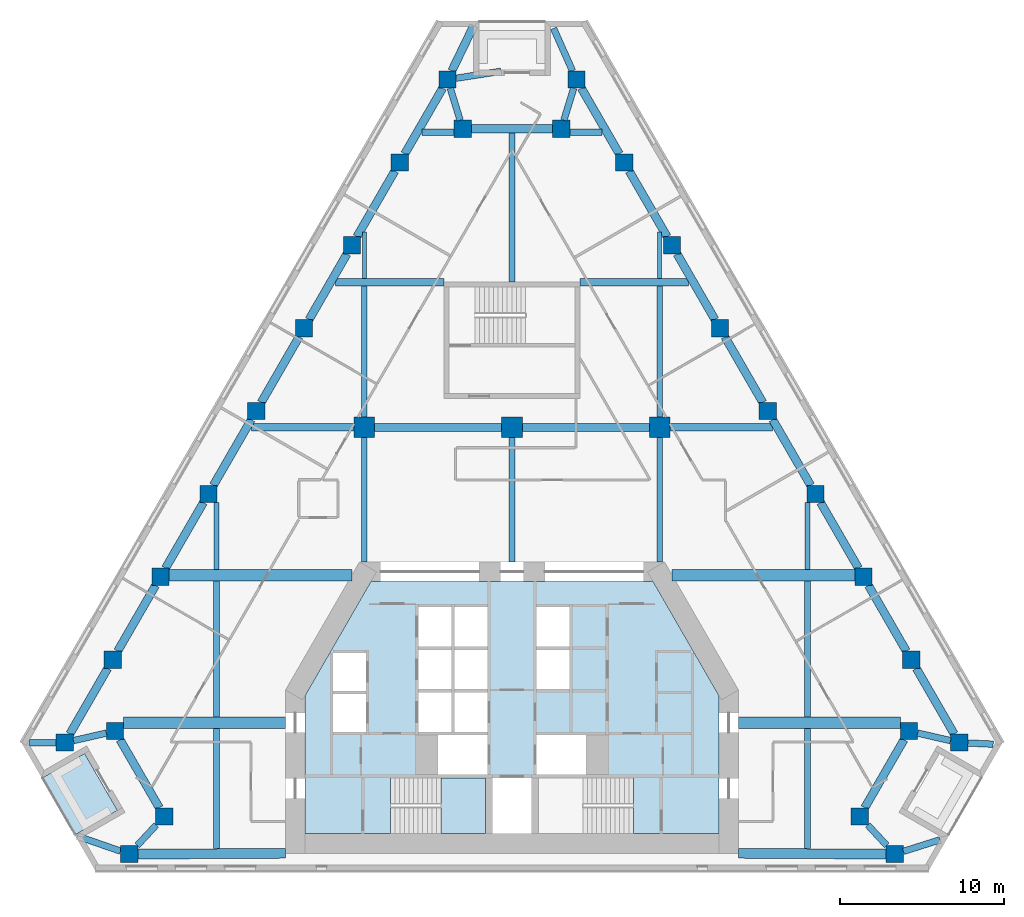
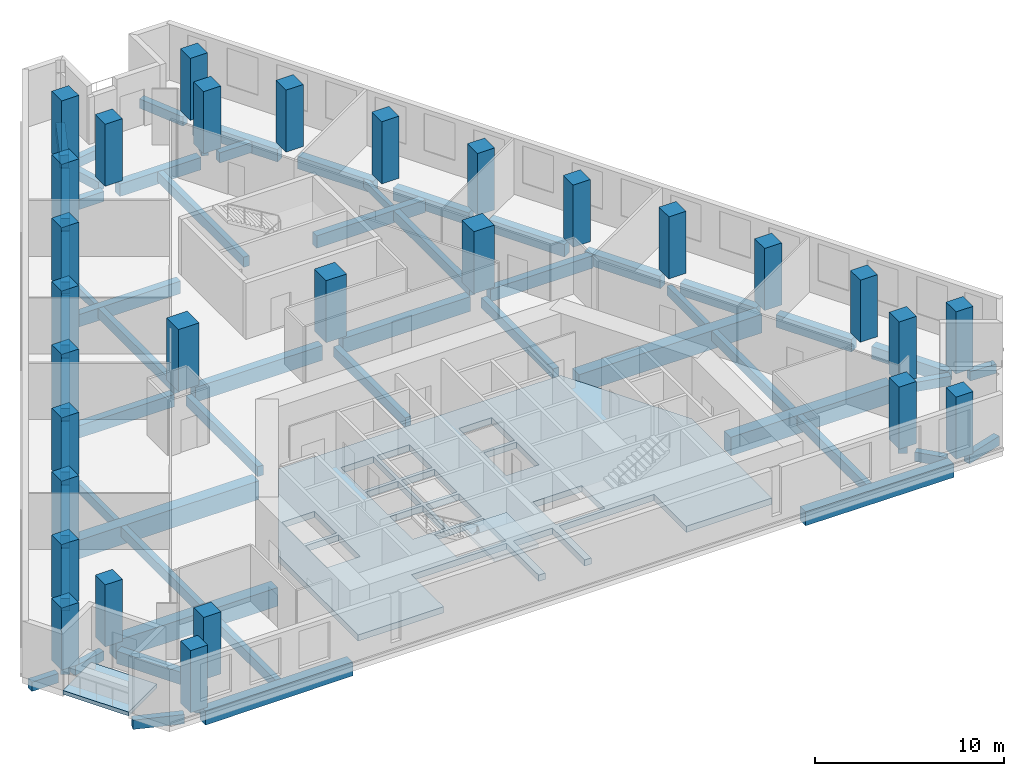
# One storey, part 1 of 10: 60 beams, 29 columns, 3 slabs, 1 element without a shape of its own.
"""IFC4 building model written with IfcOpenShell, lengths in metres."""

from ifc_helpers import new_model, si_unit, direction, frame, origin, origin_2d, place, context, subcontext, project, spatial, polyline, rectangle, outline, extrude, material, layer, layer_set, material_profile, profile_set, type_object, element, aggregate, save


model = new_model("IFC4")

# Units and contexts
model_context = context("Model", 3, precision=1e-05, world=origin(), true_north=direction((0.0, 1.0)))
body_context = subcontext(model_context, "Body", "Model", "MODEL_VIEW")
ifc_project = project(units=[si_unit("LENGTHUNIT", "METRE"), si_unit("AREAUNIT", "SQUARE_METRE"), si_unit("VOLUMEUNIT", "CUBIC_METRE"), si_unit("PLANEANGLEUNIT", "RADIAN"), si_unit("MASSUNIT", "GRAM", prefix="KILO")], contexts=[model_context])

# Site, building, storey
site_placement = place(None, origin())
site = spatial("IfcSite", under=ifc_project, at=site_placement, CompositionType="ELEMENT")
building_placement = place(site_placement, origin())
building = spatial("IfcBuilding", under=site, at=building_placement, Name="Fogline Exchange Tower", CompositionType="ELEMENT")
storey_placement = place(building_placement, frame((0.0, 0.0, 120.10009765625)))
storey = spatial("IfcBuildingStorey", under=building, at=storey_placement, Name="L26", CompositionType="ELEMENT", Elevation=120.10009765625)

# Columns
ifc_material_1 = material(Name="Concrete C70", Category="concrete")
ifc_material_profile_1 = material_profile(ifc_material_1, rectangle(XDim=1.25, YDim=1.25, at=origin_2d()), Name="RC 1250x1250")
ifc_profile_set_1 = profile_set([ifc_material_profile_1], Name="Concrete C70")
column_type_1 = type_object("IfcColumnType", Name="C03", PredefinedType="COLUMN", material=ifc_profile_set_1)
for number, where, z_axis, x_axis, name in (
    (1, (-9.0, 27.0, 0.0), (0.0, 0.0, 1.0), (1.0, 0.0, 0.0), "IC--9-27"),
    (2, (0.0, 27.0, 0.0), (0.0, 0.0, 1.0), (1.0, 0.0, 0.0), "IC-0-27"),
    (3, (9.0, 27.0, 0.0), (0.0, 0.0, 1.0), (1.0, 0.0, 0.0), "IC-9-27"),
):
    element("IfcColumn", number, at=place(storey_placement, frame(where, z_axis=z_axis, x_axis=x_axis)), inside=storey, type_object=column_type_1, Name=name, PredefinedType="COLUMN", context=body_context, shape_type="SweptSolid", body=[
        extrude(rectangle(XDim=1.25, YDim=1.25, at=origin_2d()), origin(), (0.0, 0.0, 1.0), 4.0),
    ])
ifc_material_profile_2 = material_profile(ifc_material_1, rectangle(XDim=1.050048828125, YDim=1.050048828125, at=origin_2d()), Name="RC 1050x1050")
ifc_profile_set_2 = profile_set([ifc_material_profile_2], Name="Concrete C70")
column_type_2 = type_object("IfcColumnType", Name="C04", PredefinedType="COLUMN", material=ifc_profile_set_2)
for number, where, z_axis, x_axis, name in (
    (4, (-27.2490234375, 7.794189453125, 0.0), (0.0, 0.0, 1.0), (1.0, 0.0, 0.0), "SW-a"),
    (5, (-24.189697265625, 8.4951171875, 0.0), (0.0, 0.0, 1.0), (1.0, 0.0, 0.0), "SW-p4"),
    (6, (-21.189697265625, 3.299072265625, 0.0), (0.0, 0.0, 1.0), (1.0, 0.0, 0.0), "SW-p3"),
    (7, (-23.326416015625, 1.0, 0.0), (0.0, 0.0, 1.0), (1.0, 0.0, 0.0), "SW-b"),
    (8, (23.326416015625, 1.0, 0.0), (0.0, 0.0, 1.0), (1.0, 0.0, 0.0), "SE-a"),
    (9, (21.189697265625, 3.299072265625, 0.0), (0.0, 0.0, 1.0), (1.0, 0.0, 0.0), "SE-p4"),
    (10, (24.189697265625, 8.4951171875, 0.0), (0.0, 0.0, 1.0), (1.0, 0.0, 0.0), "SE-p3"),
    (11, (27.2490234375, 7.794189453125, 0.0), (0.0, 0.0, 1.0), (1.0, 0.0, 0.0), "SE-b"),
    (12, (24.333251953125, 12.844482421875, 0.0), (0.0, 0.0, 1.0), (1.0, 0.0, 0.0), "E1"),
    (13, (21.41748046875, 17.894775390625, 0.0), (0.0, 0.0, 1.0), (1.0, 0.0, 0.0), "E2"),
    (14, (18.501708984375, 22.945068359375, 0.0), (0.0, 0.0, 1.0), (1.0, 0.0, 0.0), "E3"),
    (15, (15.585693359375, 27.995361328125, 0.0), (0.0, 0.0, 1.0), (1.0, 0.0, 0.0), "E4"),
    (16, (12.669921875, 33.045654296875, 0.0), (0.0, 0.0, 1.0), (1.0, 0.0, 0.0), "E5"),
    (17, (9.754150390625, 38.095947265625, 0.0), (0.0, 0.0, 1.0), (1.0, 0.0, 0.0), "E6"),
    (18, (6.83837890625, 43.146240234375, 0.0), (0.0, 0.0, 1.0), (1.0, 0.0, 0.0), "E7"),
    (19, (3.922607421875, 48.19677734375, 0.0), (0.0, 0.0, 1.0), (1.0, 0.0, 0.0), "N-a"),
    (20, (3.0, 45.19677734375, 0.0), (0.0, 0.0, 1.0), (1.0, 0.0, 0.0), "N-p4"),
    (21, (-3.0, 45.19677734375, 0.0), (0.0, 0.0, 1.0), (1.0, 0.0, 0.0), "N-p3"),
    (22, (-3.922607421875, 48.19677734375, 0.0), (0.0, 0.0, 1.0), (1.0, 0.0, 0.0), "N-b"),
    (23, (-6.83837890625, 43.146240234375, 0.0), (0.0, 0.0, 1.0), (1.0, 0.0, 0.0), "W1"),
    (24, (-9.754150390625, 38.095947265625, 0.0), (0.0, 0.0, 1.0), (1.0, 0.0, 0.0), "W2"),
    (25, (-12.669921875, 33.045654296875, 0.0), (0.0, 0.0, 1.0), (1.0, 0.0, 0.0), "W3"),
    (26, (-15.585693359375, 27.995361328125, 0.0), (0.0, 0.0, 1.0), (1.0, 0.0, 0.0), "W4"),
    (27, (-18.501708984375, 22.945068359375, 0.0), (0.0, 0.0, 1.0), (1.0, 0.0, 0.0), "W5"),
    (28, (-21.41748046875, 17.894775390625, 0.0), (0.0, 0.0, 1.0), (1.0, 0.0, 0.0), "W6"),
    (29, (-24.333251953125, 12.844482421875, 0.0), (0.0, 0.0, 1.0), (1.0, 0.0, 0.0), "W7"),
):
    element("IfcColumn", number, at=place(storey_placement, frame(where, z_axis=z_axis, x_axis=x_axis)), inside=storey, type_object=column_type_2, Name=name, PredefinedType="COLUMN", context=body_context, shape_type="SweptSolid", body=[
        extrude(rectangle(XDim=1.050048828125, YDim=1.050048828125, at=origin_2d()), origin(), (0.0, 0.0, 1.0), 4.0),
    ])

# Beams
ifc_material_2 = material(Name="Concrete C40", Category="concrete")
ifc_material_profile_3 = material_profile(ifc_material_2, rectangle(XDim=0.300048828125, YDim=0.60009765625, at=origin_2d()), Name="RC 300x600")
ifc_profile_set_3 = profile_set([ifc_material_profile_3], Name="Concrete C40")
beam_type_1 = type_object("IfcBeamType", Name="B06", PredefinedType="BEAM", material=ifc_profile_set_3)
for number, where, z_axis, x_axis, name in (
    (30, (-18.0, 18.35009765625, -0.7001953125), (0.0, 1.0, 0.0), (-1.0, 0.0, 0.0), "SB003"),
    (31, (18.0, 18.35009765625, -0.7001953125), (0.0, 1.0, 0.0), (-1.0, 0.0, 0.0), "SB014"),
):
    element("IfcBeam", number, at=place(storey_placement, frame(where, z_axis=z_axis, x_axis=x_axis)), inside=storey, type_object=beam_type_1, Name=name, PredefinedType="BEAM", context=body_context, shape_type="SweptSolid", body=[
        extrude(rectangle(XDim=0.300048828125, YDim=0.60009765625, at=origin_2d()), origin(), (0.0, 0.0, 1.0), 4.070068359375),
    ])
ifc_material_profile_4 = material_profile(ifc_material_2, rectangle(XDim=0.25, YDim=0.5, at=origin_2d()), Name="RC 250x500")
ifc_profile_set_4 = profile_set([ifc_material_profile_4], Name="Concrete C40")
beam_type_2 = type_object("IfcBeamType", Name="B08", PredefinedType="BEAM", material=ifc_profile_set_4)
for number, where, z_axis, x_axis, name in (
    (32, (-9.0, 36.08203125, -0.650146484375), (0.0, 1.0, 0.0), (-1.0, 0.0, 0.0), "SB006"),
    (33, (9.0, 36.08203125, -0.650146484375), (0.0, 1.0, 0.0), (-1.0, 0.0, 0.0), "SB011"),
):
    element("IfcBeam", number, at=place(storey_placement, frame(where, z_axis=z_axis, x_axis=x_axis)), inside=storey, type_object=beam_type_2, Name=name, PredefinedType="BEAM", context=body_context, shape_type="SweptSolid", body=[
        extrude(rectangle(XDim=0.25, YDim=0.5, at=origin_2d()), origin(), (0.0, 0.0, 1.0), 2.8203125),
    ])
ifc_material_profile_5 = material_profile(ifc_material_2, rectangle(XDim=0.60009765625, YDim=0.89990234375, at=origin_2d()), Name="RC 600x900")
ifc_profile_set_5 = profile_set([ifc_material_profile_5], Name="Concrete C40")
beam_type_3 = type_object("IfcBeamType", Name="B09", PredefinedType="BEAM", material=ifc_profile_set_5)
for number, where, z_axis, x_axis, name in (
    (34, (-22.801513671875, 1.0, -0.85009765625), (0.999984543136, 0.005559990001, 0.0), (-0.005559990001, 0.999984543136, 0.0), "RB004"),
    (35, (13.800048828125, 1.050048828125, -0.85009765625), (0.999984543136, -0.005559990001, 0.0), (0.005559990001, 0.999984543136, 0.0), "RB005"),
):
    element("IfcBeam", number, at=place(storey_placement, frame(where, z_axis=z_axis, x_axis=x_axis)), inside=storey, type_object=beam_type_3, Name=name, PredefinedType="BEAM", context=body_context, shape_type="SweptSolid", body=[
        extrude(rectangle(XDim=0.60009765625, YDim=0.89990234375, at=origin_2d()), origin(), (0.0, 0.0, 1.0), 9.001708984375),
    ])
ifc_material_profile_6 = material_profile(ifc_material_2, rectangle(XDim=0.5, YDim=0.800048828125, at=origin_2d()), Name="RC 500x800")
ifc_profile_set_6 = profile_set([ifc_material_profile_6], Name="Concrete C40")
beam_type_4 = type_object("IfcBeamType", Name="B10", PredefinedType="BEAM", material=ifc_profile_set_6)
for number, where, z_axis, x_axis, name in (
    (36, (-23.886474609375, 7.97021484375, -0.800048828125), (0.499994660107, -0.866028486751, 0.0), (0.866028486751, 0.499994660107, 0.0), "RB002"),
    (37, (21.49267578125, 3.823974609375, -0.800048828125), (0.499994660107, 0.866028486751, 0.0), (-0.866028486751, 0.499994660107, 0.0), "RB007"),
):
    element("IfcBeam", number, at=place(storey_placement, frame(where, z_axis=z_axis, x_axis=x_axis)), inside=storey, type_object=beam_type_4, Name=name, PredefinedType="BEAM", context=body_context, shape_type="SweptSolid", body=[
        extrude(rectangle(XDim=0.5, YDim=0.800048828125, at=origin_2d()), origin(), (0.0, 0.0, 1.0), 4.78759765625),
    ])
for number, where, z_axis, x_axis, name in (
    (38, (26.94580078125, 8.319091796875, -0.800048828125), (-0.499981705991, 0.866035965578, 0.0), (-0.866035965578, -0.499981705991, 0.0), "RB009"),
    (39, (24.030029296875, 13.369384765625, -0.800048828125), (-0.499981705991, 0.866035965578, 0.0), (-0.866035965578, -0.499981705991, 0.0), "RB010"),
):
    element("IfcBeam", number, at=place(storey_placement, frame(where, z_axis=z_axis, x_axis=x_axis)), inside=storey, type_object=beam_type_4, Name=name, PredefinedType="BEAM", context=body_context, shape_type="SweptSolid", body=[
        extrude(rectangle(XDim=0.5, YDim=0.800048828125, at=origin_2d()), origin(), (0.0, 0.0, 1.0), 4.619384765625),
    ])
for number, where, z_axis, x_axis, name in (
    (40, (21.1142578125, 18.419921875, -0.800048828125), (-0.500004591975, 0.86602275259, 0.0), (-0.86602275259, -0.500004591975, 0.0), "RB011"),
    (41, (18.198486328125, 23.47021484375, -0.800048828125), (-0.500004591975, 0.86602275259, 0.0), (-0.86602275259, -0.500004591975, 0.0), "RB012"),
    (42, (15.28271484375, 28.5205078125, -0.800048828125), (-0.500004591975, 0.86602275259, 0.0), (-0.86602275259, -0.500004591975, 0.0), "RB013"),
    (43, (12.366943359375, 33.57080078125, -0.800048828125), (-0.500004591975, 0.86602275259, 0.0), (-0.86602275259, -0.500004591975, 0.0), "RB014"),
    (44, (9.451171875, 38.62109375, -0.800048828125), (-0.500004591975, 0.86602275259, 0.0), (-0.86602275259, -0.500004591975, 0.0), "RB015"),
    (45, (6.535400390625, 43.67138671875, -0.800048828125), (-0.500004591975, 0.86602275259, 0.0), (-0.86602275259, -0.500004591975, 0.0), "RB016"),
):
    element("IfcBeam", number, at=place(storey_placement, frame(where, z_axis=z_axis, x_axis=x_axis)), inside=storey, type_object=beam_type_4, Name=name, PredefinedType="BEAM", context=body_context, shape_type="SweptSolid", body=[
        extrude(rectangle(XDim=0.5, YDim=0.800048828125, at=origin_2d()), origin(), (0.0, 0.0, 1.0), 4.619140625),
    ])
beam_1_placement = place(storey_placement, frame((2.47509765625, 45.19677734375, -0.800048828125), z_axis=(-1.0, 0.0, 0.0), x_axis=(0.0, -1.0, 0.0)))
element("IfcBeam", 46, at=beam_1_placement, inside=storey, type_object=beam_type_4, Name="RB018", PredefinedType="BEAM", context=body_context, shape_type="SweptSolid", body=[
    extrude(rectangle(XDim=0.5, YDim=0.800048828125, at=origin_2d()), origin(), (0.0, 0.0, 1.0), 4.9501953125),
])
for number, where, z_axis, x_axis, name in (
    (47, (-4.225830078125, 47.671630859375, -0.800048828125), (-0.500004591975, -0.86602275259, 0.0), (0.86602275259, -0.500004591975, 0.0), "RB020"),
    (48, (-7.1416015625, 42.621337890625, -0.800048828125), (-0.500004591975, -0.86602275259, 0.0), (0.86602275259, -0.500004591975, 0.0), "RB021"),
    (49, (-10.057373046875, 37.571044921875, -0.800048828125), (-0.500004591975, -0.86602275259, 0.0), (0.86602275259, -0.500004591975, 0.0), "RB022"),
    (50, (-12.97314453125, 32.520751953125, -0.800048828125), (-0.500004591975, -0.86602275259, 0.0), (0.86602275259, -0.500004591975, 0.0), "RB023"),
    (51, (-15.888916015625, 27.470458984375, -0.800048828125), (-0.500004591975, -0.86602275259, 0.0), (0.86602275259, -0.500004591975, 0.0), "RB024"),
    (52, (-18.8046875, 22.420166015625, -0.800048828125), (-0.500004591975, -0.86602275259, 0.0), (0.86602275259, -0.500004591975, 0.0), "RB025"),
):
    element("IfcBeam", number, at=place(storey_placement, frame(where, z_axis=z_axis, x_axis=x_axis)), inside=storey, type_object=beam_type_4, Name=name, PredefinedType="BEAM", context=body_context, shape_type="SweptSolid", body=[
        extrude(rectangle(XDim=0.5, YDim=0.800048828125, at=origin_2d()), origin(), (0.0, 0.0, 1.0), 4.619140625),
    ])
for number, where, z_axis, x_axis, name in (
    (53, (-21.720458984375, 17.369873046875, -0.800048828125), (-0.499981705991, -0.866035965578, 0.0), (0.866035965578, -0.499981705991, 0.0), "RB026"),
    (54, (-24.63623046875, 12.319580078125, -0.800048828125), (-0.499981705991, -0.866035965578, 0.0), (0.866035965578, -0.499981705991, 0.0), "RB027"),
):
    element("IfcBeam", number, at=place(storey_placement, frame(where, z_axis=z_axis, x_axis=x_axis)), inside=storey, type_object=beam_type_4, Name=name, PredefinedType="BEAM", context=body_context, shape_type="SweptSolid", body=[
        extrude(rectangle(XDim=0.5, YDim=0.800048828125, at=origin_2d()), origin(), (0.0, 0.0, 1.0), 4.619384765625),
    ])
beam_2_placement = place(storey_placement, frame((-3.66845703125, 48.7216796875, -0.800048828125), z_axis=(0.435646731916, 0.900117728395, 0.0), x_axis=(-0.900117728395, 0.435646731916, 0.0)))
element("IfcBeam", 55, at=beam_2_placement, inside=storey, type_object=beam_type_4, Name="SP028", PredefinedType="BEAM", context=body_context, shape_type="SweptSolid", body=[
    extrude(rectangle(XDim=0.5, YDim=0.800048828125, at=origin_2d()), origin(), (0.0, 0.0, 1.0), 3.049072265625),
])
ifc_material_profile_7 = material_profile(ifc_material_2, rectangle(XDim=0.39990234375, YDim=0.60009765625, at=origin_2d()), Name="RC 400x600")
ifc_profile_set_7 = profile_set([ifc_material_profile_7], Name="Concrete C40")
beam_type_5 = type_object("IfcBeamType", Name="B11", PredefinedType="BEAM", material=ifc_profile_set_7)
beam_3_placement = place(storey_placement, frame((-26.72412109375, 7.91455078125, -0.7001953125), z_axis=(0.974739301343, 0.223345683676, 0.0), x_axis=(-0.223345683676, 0.974739301343, 0.0)))
element("IfcBeam", 56, at=beam_3_placement, inside=storey, type_object=beam_type_5, Name="RB001", PredefinedType="BEAM", context=body_context, shape_type="SweptSolid", body=[
    extrude(rectangle(XDim=0.39990234375, YDim=0.60009765625, at=origin_2d()), origin(), (0.0, 0.0, 1.0), 2.0615234375),
])
for number, where, z_axis, x_axis, name in (
    (57, (-21.677490234375, 2.77392578125, -0.7001953125), (-0.680791505026, -0.732477253357, 0.0), (0.732477253357, -0.680791505026, 0.0), "RB003"),
    (58, (22.83837890625, 1.52490234375, -0.7001953125), (-0.680791505026, 0.732477253357, 0.0), (-0.732477253357, -0.680791505026, 0.0), "RB006"),
):
    element("IfcBeam", number, at=place(storey_placement, frame(where, z_axis=z_axis, x_axis=x_axis)), inside=storey, type_object=beam_type_5, Name=name, PredefinedType="BEAM", context=body_context, shape_type="SweptSolid", body=[
        extrude(rectangle(XDim=0.39990234375, YDim=0.60009765625, at=origin_2d()), origin(), (0.0, 0.0, 1.0), 1.705322265625),
    ])
beam_4_placement = place(storey_placement, frame((24.714599609375, 8.375, -0.7001953125), z_axis=(0.974739301343, -0.223345683676, 0.0), x_axis=(0.223345683676, 0.974739301343, 0.0)))
element("IfcBeam", 59, at=beam_4_placement, inside=storey, type_object=beam_type_5, Name="RB008", PredefinedType="BEAM", context=body_context, shape_type="SweptSolid", body=[
    extrude(rectangle(XDim=0.39990234375, YDim=0.60009765625, at=origin_2d()), origin(), (0.0, 0.0, 1.0), 2.0615234375),
])
for number, where, z_axis, x_axis, name in (
    (60, (3.76123046875, 47.671630859375, -0.7001953125), (-0.293917654764, -0.955830744545, 0.0), (0.955830744545, -0.293917654764, 0.0), "RB017"),
    (61, (-3.16162109375, 45.7216796875, -0.7001953125), (-0.293917654764, 0.955830744545, 0.0), (-0.955830744545, -0.293917654764, 0.0), "RB019"),
):
    element("IfcBeam", number, at=place(storey_placement, frame(where, z_axis=z_axis, x_axis=x_axis)), inside=storey, type_object=beam_type_5, Name=name, PredefinedType="BEAM", context=body_context, shape_type="SweptSolid", body=[
        extrude(rectangle(XDim=0.39990234375, YDim=0.60009765625, at=origin_2d()), origin(), (0.0, 0.0, 1.0), 2.0400390625),
    ])
beam_5_placement = place(storey_placement, frame((3.68896484375, 48.7216796875, -0.7001953125), z_axis=(-0.40658448242, 0.913613188749, 0.0), x_axis=(-0.913613188749, -0.40658448242, 0.0)))
element("IfcBeam", 62, at=beam_5_placement, inside=storey, type_object=beam_type_5, Name="SP029", PredefinedType="BEAM", context=body_context, shape_type="SweptSolid", body=[
    extrude(rectangle(XDim=0.39990234375, YDim=0.60009765625, at=origin_2d()), origin(), (0.0, 0.0, 1.0), 2.84375),
])
beam_6_placement = place(storey_placement, frame((-23.851318359375, 1.181884765625, -0.7001953125), z_axis=(-0.944879115194, 0.327419391102, 0.0), x_axis=(-0.327419391102, -0.944879115194, 0.0)))
element("IfcBeam", 63, at=beam_6_placement, inside=storey, type_object=beam_type_5, Name="SP030", PredefinedType="BEAM", context=body_context, shape_type="SweptSolid", body=[
    extrude(rectangle(XDim=0.39990234375, YDim=0.60009765625, at=origin_2d()), origin(), (0.0, 0.0, 1.0), 2.769287109375),
])
beam_7_placement = place(storey_placement, frame((23.851318359375, 1.166259765625, -0.7001953125), z_axis=(0.953366709253, 0.301814376211, 0.0), x_axis=(-0.301814376211, 0.953366709253, 0.0)))
element("IfcBeam", 64, at=beam_7_placement, inside=storey, type_object=beam_type_5, Name="SP031", PredefinedType="BEAM", context=body_context, shape_type="SweptSolid", body=[
    extrude(rectangle(XDim=0.39990234375, YDim=0.60009765625, at=origin_2d()), origin(), (0.0, 0.0, 1.0), 2.343505859375),
])
beam_8_placement = place(storey_placement, frame((-3.397705078125, 48.278076171875, -0.7001953125), z_axis=(0.988195883349, 0.153195613943, 0.0), x_axis=(-0.153195613943, 0.988195883349, 0.0)))
element("IfcBeam", 65, at=beam_8_placement, inside=storey, type_object=beam_type_5, Name="SP032", PredefinedType="BEAM", context=body_context, shape_type="SweptSolid", body=[
    extrude(rectangle(XDim=0.39990234375, YDim=0.60009765625, at=origin_2d()), origin(), (0.0, 0.0, 1.0), 2.75537109375),
])
beam_9_placement = place(storey_placement, frame((-27.77392578125, 7.794189453125, -0.7001953125), z_axis=(-1.0, 0.0, 0.0), x_axis=(0.0, -1.0, 0.0)))
element("IfcBeam", 66, at=beam_9_placement, inside=storey, type_object=beam_type_5, Name="SP033", PredefinedType="BEAM", context=body_context, shape_type="SweptSolid", body=[
    extrude(rectangle(XDim=0.39990234375, YDim=0.60009765625, at=origin_2d()), origin(), (0.0, 0.0, 1.0), 1.619384765625),
])
beam_10_placement = place(storey_placement, frame((27.77392578125, 7.76953125, -0.7001953125), z_axis=(0.99890029797, -0.046884909245, 0.0), x_axis=(0.046884909245, 0.99890029797, 0.0)))
element("IfcBeam", 67, at=beam_10_placement, inside=storey, type_object=beam_type_5, Name="SP034", PredefinedType="BEAM", context=body_context, shape_type="SweptSolid", body=[
    extrude(rectangle(XDim=0.39990234375, YDim=0.60009765625, at=origin_2d()), origin(), (0.0, 0.0, 1.0), 1.5517578125),
])
ifc_material_profile_8 = material_profile(ifc_material_2, rectangle(XDim=0.39990234375, YDim=0.64990234375, at=origin_2d()), Name="RC 400x650")
ifc_profile_set_8 = profile_set([ifc_material_profile_8], Name="Concrete C40")
beam_type_6 = type_object("IfcBeamType", Name="B13", PredefinedType="BEAM", material=ifc_profile_set_8)
for number, where, z_axis, x_axis, name in (
    (68, (-5.4794921875, 45.0, -0.72509765625), (1.0, 0.0, 0.0), (0.0, 1.0, 0.0), "GB011"),
    (69, (3.52490234375, 45.0, -0.72509765625), (1.0, 0.0, 0.0), (0.0, 1.0, 0.0), "GB012"),
):
    element("IfcBeam", number, at=place(storey_placement, frame(where, z_axis=z_axis, x_axis=x_axis)), inside=storey, type_object=beam_type_6, Name=name, PredefinedType="BEAM", context=body_context, shape_type="SweptSolid", body=[
        extrude(rectangle(XDim=0.39990234375, YDim=0.64990234375, at=origin_2d()), origin(), (0.0, 0.0, 1.0), 1.95458984375),
    ])
ifc_material_profile_9 = material_profile(ifc_material_2, rectangle(XDim=0.5, YDim=0.949951171875, at=origin_2d()), Name="RC 500x950")
ifc_profile_set_9 = profile_set([ifc_material_profile_9], Name="Concrete C40")
beam_type_7 = type_object("IfcBeamType", Name="B14", PredefinedType="BEAM", material=ifc_profile_set_9)
for number, where, z_axis, x_axis, name in (
    (70, (-8.375, 27.0, -0.875), (1.0, 0.0, 0.0), (0.0, 1.0, 0.0), "GB006"),
    (71, (0.625, 27.0, -0.875), (1.0, 0.0, 0.0), (0.0, 1.0, 0.0), "GB007"),
):
    element("IfcBeam", number, at=place(storey_placement, frame(where, z_axis=z_axis, x_axis=x_axis)), inside=storey, type_object=beam_type_7, Name=name, PredefinedType="BEAM", context=body_context, shape_type="SweptSolid", body=[
        extrude(rectangle(XDim=0.5, YDim=0.949951171875, at=origin_2d()), origin(), (0.0, 0.0, 1.0), 7.75),
    ])
ifc_material_profile_10 = material_profile(ifc_material_2, rectangle(XDim=0.35009765625, YDim=0.64990234375, at=origin_2d()), Name="RC 350x650")
ifc_profile_set_10 = profile_set([ifc_material_profile_10], Name="Concrete C40")
beam_type_8 = type_object("IfcBeamType", Name="B16", PredefinedType="BEAM", material=ifc_profile_set_10)
beam_11_placement = place(storey_placement, frame((-18.0, 1.327880859375, -0.72509765625), z_axis=(0.0, 1.0, 0.0), x_axis=(-1.0, 0.0, 0.0)))
element("IfcBeam", 72, at=beam_11_placement, inside=storey, type_object=beam_type_8, Name="SB001", PredefinedType="BEAM", context=body_context, shape_type="SweptSolid", body=[
    extrude(rectangle(XDim=0.35009765625, YDim=0.64990234375, at=origin_2d()), origin(), (0.0, 0.0, 1.0), 7.322021484375),
])
beam_12_placement = place(storey_placement, frame((-18.0, 9.35009765625, -0.72509765625), z_axis=(0.0, 1.0, 0.0), x_axis=(-1.0, 0.0, 0.0)))
element("IfcBeam", 73, at=beam_12_placement, inside=storey, type_object=beam_type_8, Name="SB002", PredefinedType="BEAM", context=body_context, shape_type="SweptSolid", body=[
    extrude(rectangle(XDim=0.35009765625, YDim=0.64990234375, at=origin_2d()), origin(), (0.0, 0.0, 1.0), 8.2998046875),
])
beam_13_placement = place(storey_placement, frame((-9.0, 18.800048828125, -0.72509765625), z_axis=(0.0, 1.0, 0.0), x_axis=(-1.0, 0.0, 0.0)))
element("IfcBeam", 74, at=beam_13_placement, inside=storey, type_object=beam_type_8, Name="SB004", PredefinedType="BEAM", context=body_context, shape_type="SweptSolid", body=[
    extrude(rectangle(XDim=0.35009765625, YDim=0.64990234375, at=origin_2d()), origin(), (0.0, 0.0, 1.0), 7.574951171875),
])
beam_14_placement = place(storey_placement, frame((-9.0, 27.625, -0.72509765625), z_axis=(0.0, 1.0, 0.0), x_axis=(-1.0, 0.0, 0.0)))
element("IfcBeam", 75, at=beam_14_placement, inside=storey, type_object=beam_type_8, Name="SB005", PredefinedType="BEAM", context=body_context, shape_type="SweptSolid", body=[
    extrude(rectangle(XDim=0.35009765625, YDim=0.64990234375, at=origin_2d()), origin(), (0.0, 0.0, 1.0), 8.007080078125),
])
beam_15_placement = place(storey_placement, frame((0.0, 18.800048828125, -0.72509765625), z_axis=(0.0, 1.0, 0.0), x_axis=(-1.0, 0.0, 0.0)))
element("IfcBeam", 76, at=beam_15_placement, inside=storey, type_object=beam_type_8, Name="SB007", PredefinedType="BEAM", context=body_context, shape_type="SweptSolid", body=[
    extrude(rectangle(XDim=0.35009765625, YDim=0.64990234375, at=origin_2d()), origin(), (0.0, 0.0, 1.0), 7.574951171875),
])
beam_16_placement = place(storey_placement, frame((0.0, 35.85693359375, -0.72509765625), z_axis=(0.0, 1.0, 0.0), x_axis=(-1.0, 0.0, 0.0)))
element("IfcBeam", 77, at=beam_16_placement, inside=storey, type_object=beam_type_8, Name="SB008", PredefinedType="BEAM", context=body_context, shape_type="SweptSolid", body=[
    extrude(rectangle(XDim=0.35009765625, YDim=0.64990234375, at=origin_2d()), origin(), (0.0, 0.0, 1.0), 9.08984375),
])
beam_17_placement = place(storey_placement, frame((9.0, 18.800048828125, -0.72509765625), z_axis=(0.0, 1.0, 0.0), x_axis=(-1.0, 0.0, 0.0)))
element("IfcBeam", 78, at=beam_17_placement, inside=storey, type_object=beam_type_8, Name="SB009", PredefinedType="BEAM", context=body_context, shape_type="SweptSolid", body=[
    extrude(rectangle(XDim=0.35009765625, YDim=0.64990234375, at=origin_2d()), origin(), (0.0, 0.0, 1.0), 7.574951171875),
])
beam_18_placement = place(storey_placement, frame((9.0, 27.625, -0.72509765625), z_axis=(0.0, 1.0, 0.0), x_axis=(-1.0, 0.0, 0.0)))
element("IfcBeam", 79, at=beam_18_placement, inside=storey, type_object=beam_type_8, Name="SB010", PredefinedType="BEAM", context=body_context, shape_type="SweptSolid", body=[
    extrude(rectangle(XDim=0.35009765625, YDim=0.64990234375, at=origin_2d()), origin(), (0.0, 0.0, 1.0), 8.007080078125),
])
beam_19_placement = place(storey_placement, frame((18.0, 1.327880859375, -0.72509765625), z_axis=(0.0, 1.0, 0.0), x_axis=(-1.0, 0.0, 0.0)))
element("IfcBeam", 80, at=beam_19_placement, inside=storey, type_object=beam_type_8, Name="SB012", PredefinedType="BEAM", context=body_context, shape_type="SweptSolid", body=[
    extrude(rectangle(XDim=0.35009765625, YDim=0.64990234375, at=origin_2d()), origin(), (0.0, 0.0, 1.0), 7.322021484375),
])
beam_20_placement = place(storey_placement, frame((18.0, 9.35009765625, -0.72509765625), z_axis=(0.0, 1.0, 0.0), x_axis=(-1.0, 0.0, 0.0)))
element("IfcBeam", 81, at=beam_20_placement, inside=storey, type_object=beam_type_8, Name="SB013", PredefinedType="BEAM", context=body_context, shape_type="SweptSolid", body=[
    extrude(rectangle(XDim=0.35009765625, YDim=0.64990234375, at=origin_2d()), origin(), (0.0, 0.0, 1.0), 8.2998046875),
])
ifc_material_profile_11 = material_profile(ifc_material_2, rectangle(XDim=0.699951171875, YDim=1.199951171875, at=origin_2d()), Name="RC 700x1200")
ifc_profile_set_11 = profile_set([ifc_material_profile_11], Name="Concrete C40")
beam_type_9 = type_object("IfcBeamType", Name="B17", PredefinedType="BEAM", material=ifc_profile_set_11)
for number, where, z_axis, x_axis, name in (
    (82, (-23.66455078125, 9.0, -1.0), (1.0, 0.0, 0.0), (0.0, 1.0, 0.0), "GB001"),
    (83, (13.800048828125, 9.0, -1.0), (1.0, 0.0, 0.0), (0.0, 1.0, 0.0), "GB002"),
):
    element("IfcBeam", number, at=place(storey_placement, frame(where, z_axis=z_axis, x_axis=x_axis)), inside=storey, type_object=beam_type_9, Name=name, PredefinedType="BEAM", context=body_context, shape_type="SweptSolid", body=[
        extrude(rectangle(XDim=0.699951171875, YDim=1.199951171875, at=origin_2d()), origin(), (0.0, 0.0, 1.0), 9.864501953125),
    ])
for number, where, z_axis, x_axis, name in (
    (84, (-20.892333984375, 18.0, -1.0), (1.0, 0.0, 0.0), (0.0, 1.0, 0.0), "GB003"),
    (85, (9.758056640625, 18.0, -1.0), (1.0, 0.0, 0.0), (0.0, 1.0, 0.0), "GB004"),
):
    element("IfcBeam", number, at=place(storey_placement, frame(where, z_axis=z_axis, x_axis=x_axis)), inside=storey, type_object=beam_type_9, Name=name, PredefinedType="BEAM", context=body_context, shape_type="SweptSolid", body=[
        extrude(rectangle(XDim=0.699951171875, YDim=1.199951171875, at=origin_2d()), origin(), (0.0, 0.0, 1.0), 11.13427734375),
    ])
ifc_material_profile_12 = material_profile(ifc_material_2, rectangle(XDim=0.449951171875, YDim=0.800048828125, at=origin_2d()), Name="RC 450x800")
ifc_profile_set_12 = profile_set([ifc_material_profile_12], Name="Concrete C40")
beam_type_10 = type_object("IfcBeamType", Name="B18", PredefinedType="BEAM", material=ifc_profile_set_12)
for number, where, z_axis, x_axis, name in (
    (86, (-15.871826171875, 27.0, -0.800048828125), (1.0, 0.0, 0.0), (0.0, 1.0, 0.0), "GB005"),
    (87, (9.625, 27.0, -0.800048828125), (1.0, 0.0, 0.0), (0.0, 1.0, 0.0), "GB008"),
):
    element("IfcBeam", number, at=place(storey_placement, frame(where, z_axis=z_axis, x_axis=x_axis)), inside=storey, type_object=beam_type_10, Name=name, PredefinedType="BEAM", context=body_context, shape_type="SweptSolid", body=[
        extrude(rectangle(XDim=0.449951171875, YDim=0.800048828125, at=origin_2d()), origin(), (0.0, 0.0, 1.0), 6.246826171875),
    ])
for number, where, z_axis, x_axis, name in (
    (88, (-10.75830078125, 35.85693359375, -0.800048828125), (1.0, 0.0, 0.0), (0.0, 1.0, 0.0), "GB009"),
    (89, (4.14990234375, 35.85693359375, -0.800048828125), (1.0, 0.0, 0.0), (0.0, 1.0, 0.0), "GB010"),
):
    element("IfcBeam", number, at=place(storey_placement, frame(where, z_axis=z_axis, x_axis=x_axis)), inside=storey, type_object=beam_type_10, Name=name, PredefinedType="BEAM", context=body_context, shape_type="SweptSolid", body=[
        extrude(rectangle(XDim=0.449951171875, YDim=0.800048828125, at=origin_2d()), origin(), (0.0, 0.0, 1.0), 6.6083984375),
    ])

# Slabs
ifc_layer_1 = layer(ifc_material_2, 0.25)
ifc_layer_set_1 = layer_set([ifc_layer_1], Name="DK1")
slab_type_1 = type_object("IfcSlabType", Name="DK1", PredefinedType="FLOOR", material=ifc_layer_set_1)
slab_1_placement = place(storey_placement, frame((0.0, 0.0, -0.25)))
element("IfcSlab", 90, at=slab_1_placement, inside=storey, type_object=slab_type_1, Name="Balcony L26 SW", PredefinedType="FLOOR", context=body_context, shape_type="SweptSolid", body=[
    extrude(outline(polyline([(-28.643310546875, 5.629150390625), (-26.643310546875, 2.1650390625), (-24.045166015625, 3.6650390625), (-26.045166015625, 7.129150390625), (-28.643310546875, 5.629150390625)])), origin(), (0.0, 0.0, 1.0), 0.25),
])
ifc_layer_2 = layer(ifc_material_2, 0.39990234375)
ifc_layer_set_2 = layer_set([ifc_layer_2], Name="S03")
slab_type_2 = type_object("IfcSlabType", Name="S03", PredefinedType="FLOOR", material=ifc_layer_set_2)
slab_2_placement = place(storey_placement, frame((0.0, 0.0, -0.400146484375)))
element("IfcSlab", 91, at=slab_2_placement, inside=storey, type_object=slab_type_2, Name="Core floor slab", PredefinedType="FLOOR", context=body_context, shape_type="SweptSolid", body=[
    extrude(outline(polyline([(-12.60009765625, 2.25), (-12.60009765625, 10.677490234375), (-8.603271484375, 17.60009765625), (8.603271484375, 17.60009765625), (12.60009765625, 10.677490234375), (12.60009765625, 2.25), (7.389892578125, 2.25), (7.389892578125, 5.64990234375), (1.60009765625, 5.64990234375), (1.60009765625, 2.25), (1.199951171875, 2.25), (1.199951171875, 5.64990234375), (-1.199951171875, 5.64990234375), (-1.199951171875, 2.25), (-1.60009765625, 2.25), (-1.60009765625, 5.64990234375), (-7.389892578125, 5.64990234375), (-7.389892578125, 2.25), (-12.60009765625, 2.25)]), holes=[polyline([(-1.5, 8.25), (-4.5, 8.25), (-4.5, 5.85009765625), (-1.5, 5.85009765625), (-1.5, 8.25)]), polyline([(-8.89990234375, 10.75), (-10.89990234375, 10.75), (-10.89990234375, 8.449951171875), (-8.89990234375, 8.449951171875), (-8.89990234375, 10.75)]), polyline([(-3.699951171875, 10.85009765625), (-5.699951171875, 10.85009765625), (-5.699951171875, 8.449951171875), (-3.699951171875, 8.449951171875), (-3.699951171875, 10.85009765625)]), polyline([(-1.5, 10.85009765625), (-3.5, 10.85009765625), (-3.5, 8.449951171875), (-1.5, 8.449951171875), (-1.5, 10.85009765625)]), polyline([(-8.89990234375, 13.25), (-10.89990234375, 13.25), (-10.89990234375, 10.949951171875), (-8.89990234375, 10.949951171875), (-8.89990234375, 13.25)]), polyline([(-3.699951171875, 13.449951171875), (-5.699951171875, 13.449951171875), (-5.699951171875, 11.050048828125), (-3.699951171875, 11.050048828125), (-3.699951171875, 13.449951171875)]), polyline([(-3.699951171875, 16.050048828125), (-5.699951171875, 16.050048828125), (-5.699951171875, 13.64990234375), (-3.699951171875, 13.64990234375), (-3.699951171875, 16.050048828125)]), polyline([(4.5, 8.25), (1.5, 8.25), (1.5, 5.85009765625), (4.5, 5.85009765625), (4.5, 8.25)]), polyline([(-1.5, 13.449951171875), (-3.5, 13.449951171875), (-3.5, 11.050048828125), (-1.5, 11.050048828125), (-1.5, 13.449951171875)]), polyline([(3.5, 13.449951171875), (1.5, 13.449951171875), (1.5, 11.050048828125), (3.5, 11.050048828125), (3.5, 13.449951171875)]), polyline([(-1.5, 16.050048828125), (-3.5, 16.050048828125), (-3.5, 13.64990234375), (-1.5, 13.64990234375), (-1.5, 16.050048828125)]), polyline([(3.5, 16.050048828125), (1.5, 16.050048828125), (1.5, 13.64990234375), (3.5, 13.64990234375), (3.5, 16.050048828125)])]), origin(), (0.0, 0.0, 1.0), 0.400146484375),
])

# Stair, slab
stair_type = type_object("IfcStairType", Name="STR24-1667", PredefinedType="HALF_TURN_STAIR", material=ifc_material_2)
stair_placement = place(storey_placement, origin())
stair = element("IfcStair", 92, at=stair_placement, inside=storey, type_object=stair_type, Name="Stair ST1", PredefinedType="HALF_TURN_STAIR")
ifc_layer_3 = layer(ifc_material_2, 0.199951171875)
ifc_layer_set_3 = layer_set([ifc_layer_3], Name="SL200")
slab_type_3 = type_object("IfcSlabType", Name="SL200", PredefinedType="LANDING", material=ifc_layer_set_3)
slab_3_placement = place(storey_placement, frame((0.0, 0.0, 1.7998046875)))
slab_3 = element("IfcSlab", 93, at=slab_3_placement, type_object=slab_type_3, Name="ST1 landing 1", PredefinedType="LANDING", context=body_context, shape_type="SweptSolid", body=[
    extrude(outline(polyline([(-4.320068359375, 2.25), (-1.60009765625, 2.25), (-1.60009765625, 5.64990234375), (-4.320068359375, 5.64990234375), (-4.320068359375, 2.25)])), origin(), (0.0, 0.0, 1.0), 0.2001953125),
])
aggregate(stair, [slab_3])

save(model, "model.ifc")
